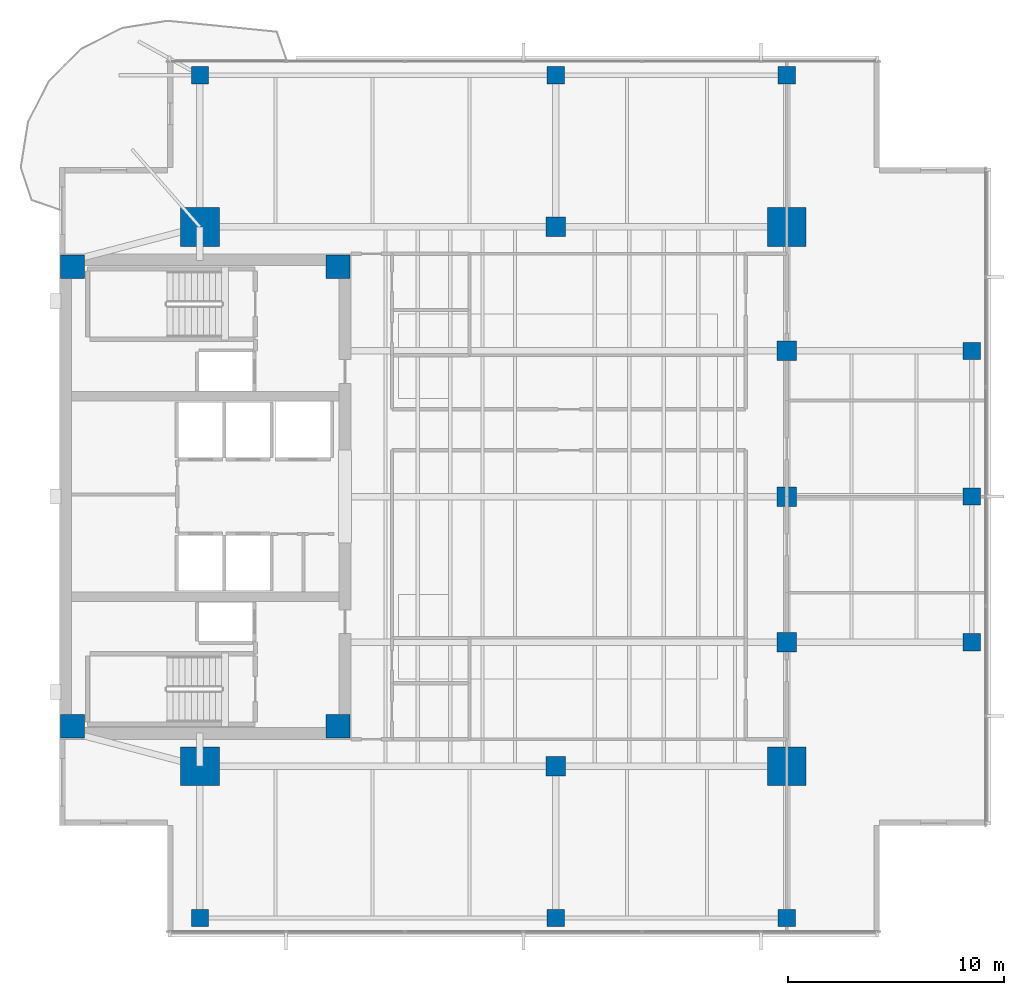
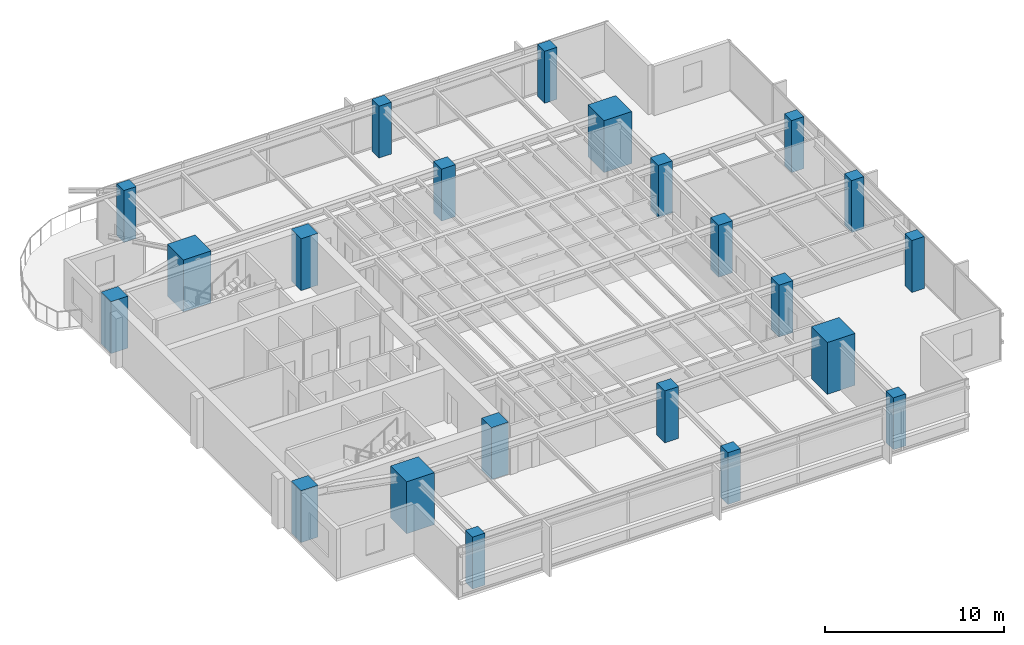
# One storey, part 1 of 14: 22 columns.
"""IFC4 building model written with IfcOpenShell, lengths in metres."""

from ifc_helpers import new_model, si_unit, direction, frame, origin, origin_2d, place, context, subcontext, project, spatial, rectangle, extrude, material, material_profile, profile_set, type_object, element, save


model = new_model("IFC4")

# Units and contexts
model_context = context("Model", 3, precision=1e-05, world=origin(), true_north=direction((0.0, 1.0)))
body_context = subcontext(model_context, "Body", "Model", "MODEL_VIEW")
ifc_project = project(units=[si_unit("LENGTHUNIT", "METRE"), si_unit("AREAUNIT", "SQUARE_METRE"), si_unit("VOLUMEUNIT", "CUBIC_METRE"), si_unit("PLANEANGLEUNIT", "RADIAN"), si_unit("MASSUNIT", "GRAM", prefix="KILO")], contexts=[model_context])

# Site, building, storey
site_placement = place(None, origin())
site = spatial("IfcSite", under=ifc_project, at=site_placement, CompositionType="ELEMENT")
building_placement = place(site_placement, origin())
building = spatial("IfcBuilding", under=site, at=building_placement, Name="Kinhvarn Gate Tower", CompositionType="ELEMENT")
storey_placement = place(building_placement, frame((0.0, 0.0, 205.800048828125)))
storey = spatial("IfcBuildingStorey", under=building, at=storey_placement, Name="L54", CompositionType="ELEMENT", Elevation=205.800048828125)

# Columns
ifc_material_1 = material(Name="Concrete C60/75", Category="concrete")
ifc_material_profile_1 = material_profile(ifc_material_1, rectangle(XDim=1.800048828125, YDim=1.800048828125, at=origin_2d()), Name="RC 1800x1800")
ifc_profile_set_1 = profile_set([ifc_material_profile_1], Name="Concrete C60/75")
column_type_1 = type_object("IfcColumnType", Name="COL-MC-1800", PredefinedType="COLUMN", material=ifc_profile_set_1)
for number, where, z_axis, x_axis, name in (
    (1, (11.0, 12.75, 0.0), (0.0, 0.0, 1.0), (1.0, 0.0, 0.0), "Column MC1-L54 (MC-18)"),
    (2, (11.0, 37.75, 0.0), (0.0, 0.0, 1.0), (1.0, 0.0, 0.0), "Column MC4-L54 (MC-18)"),
    (3, (38.199951171875, 12.75, 0.0), (0.0, 0.0, 1.0), (1.0, 0.0, 0.0), "Column MC2-L54 (MC-18)"),
    (4, (38.199951171875, 37.75, 0.0), (0.0, 0.0, 1.0), (1.0, 0.0, 0.0), "Column MC3-L54 (MC-18)"),
):
    element("IfcColumn", number, at=place(storey_placement, frame(where, z_axis=z_axis, x_axis=x_axis)), inside=storey, type_object=column_type_1, Name=name, PredefinedType="COLUMN", context=body_context, shape_type="SweptSolid", body=[
        extrude(rectangle(XDim=1.800048828125, YDim=1.800048828125, at=origin_2d()), origin(), (0.0, 0.0, 1.0), 3.550048828125),
    ])
ifc_material_2 = material(Name="Concrete C50/60", Category="concrete")
ifc_material_profile_2 = material_profile(ifc_material_2, rectangle(XDim=0.800048828125, YDim=0.800048828125, at=origin_2d()), Name="RC 800x800")
ifc_profile_set_2 = profile_set([ifc_material_profile_2], Name="Concrete C50/60")
column_type_2 = type_object("IfcColumnType", Name="COL-RC-800", PredefinedType="COLUMN", material=ifc_profile_set_2)
for number, where, z_axis, x_axis, name in (
    (5, (46.780029296875, 18.5, 0.0), (0.0, 0.0, 1.0), (1.0, 0.0, 0.0), "Column CE-1-L54 (C-080)"),
    (6, (46.780029296875, 25.25, 0.0), (0.0, 0.0, 1.0), (1.0, 0.0, 0.0), "Column CE-2-L54 (C-080)"),
    (7, (46.780029296875, 32.0, 0.0), (0.0, 0.0, 1.0), (1.0, 0.0, 0.0), "Column CE-3-L54 (C-080)"),
    (8, (11.0, 5.719970703125, 0.0), (0.0, 0.0, 1.0), (1.0, 0.0, 0.0), "Column CS-0-L54 (C-080)"),
    (9, (27.5, 5.719970703125, 0.0), (0.0, 0.0, 1.0), (1.0, 0.0, 0.0), "Column CS-1-L54 (C-080)"),
    (10, (38.199951171875, 5.719970703125, 0.0), (0.0, 0.0, 1.0), (1.0, 0.0, 0.0), "Column CS-2-L54 (C-080)"),
    (11, (11.0, 44.780029296875, 0.0), (0.0, 0.0, 1.0), (1.0, 0.0, 0.0), "Column CN-0-L54 (C-080)"),
    (12, (27.5, 44.780029296875, 0.0), (0.0, 0.0, 1.0), (1.0, 0.0, 0.0), "Column CN-1-L54 (C-080)"),
    (13, (38.199951171875, 44.780029296875, 0.0), (0.0, 0.0, 1.0), (1.0, 0.0, 0.0), "Column CN-2-L54 (C-080)"),
):
    element("IfcColumn", number, at=place(storey_placement, frame(where, z_axis=z_axis, x_axis=x_axis)), inside=storey, type_object=column_type_2, Name=name, PredefinedType="COLUMN", context=body_context, shape_type="SweptSolid", body=[
        extrude(rectangle(XDim=0.800048828125, YDim=0.800048828125, at=origin_2d()), origin(), (0.0, 0.0, 1.0), 3.550048828125),
    ])
ifc_material_profile_3 = material_profile(ifc_material_1, rectangle(XDim=0.89990234375, YDim=0.89990234375, at=origin_2d()), Name="RC 900x900")
ifc_profile_set_3 = profile_set([ifc_material_profile_3], Name="Concrete C60/75")
column_type_3 = type_object("IfcColumnType", Name="COL-RC-900", PredefinedType="COLUMN", material=ifc_profile_set_3)
for number, where, z_axis, x_axis, name in (
    (14, (27.5, 12.75, 0.0), (0.0, 0.0, 1.0), (1.0, 0.0, 0.0), "Column SP27-S-L54 (C-090)"),
    (15, (27.5, 37.75, 0.0), (0.0, 0.0, 1.0), (1.0, 0.0, 0.0), "Column SP27-N-L54 (C-090)"),
    (16, (38.199951171875, 18.5, 0.0), (0.0, 0.0, 1.0), (1.0, 0.0, 0.0), "Column SP38-E1-L54 (C-090)"),
    (17, (38.199951171875, 25.25, 0.0), (0.0, 0.0, 1.0), (1.0, 0.0, 0.0), "Column SP38-E2-L54 (C-090)"),
    (18, (38.199951171875, 32.0, 0.0), (0.0, 0.0, 1.0), (1.0, 0.0, 0.0), "Column SP38-E3-L54 (C-090)"),
):
    element("IfcColumn", number, at=place(storey_placement, frame(where, z_axis=z_axis, x_axis=x_axis)), inside=storey, type_object=column_type_3, Name=name, PredefinedType="COLUMN", context=body_context, shape_type="SweptSolid", body=[
        extrude(rectangle(XDim=0.89990234375, YDim=0.89990234375, at=origin_2d()), origin(), (0.0, 0.0, 1.0), 3.550048828125),
    ])
ifc_material_profile_4 = material_profile(ifc_material_1, rectangle(XDim=1.10009765625, YDim=1.10009765625, at=origin_2d()), Name="RC 1100x1100")
ifc_profile_set_4 = profile_set([ifc_material_profile_4], Name="Concrete C60/75")
column_type_4 = type_object("IfcColumnType", Name="PIL-RC-1100", PredefinedType="PILASTER", material=ifc_profile_set_4)
for number, where, z_axis, x_axis, name in (
    (19, (5.10009765625, 14.60009765625, 0.0), (0.0, 0.0, 1.0), (1.0, 0.0, 0.0), "Column CC-SW-L54 (CP-110)"),
    (20, (5.10009765625, 35.89990234375, 0.0), (0.0, 0.0, 1.0), (1.0, 0.0, 0.0), "Column CC-NW-L54 (CP-110)"),
    (21, (17.39990234375, 14.60009765625, 0.0), (0.0, 0.0, 1.0), (1.0, 0.0, 0.0), "Column CC-SE-L54 (CP-110)"),
    (22, (17.39990234375, 35.89990234375, 0.0), (0.0, 0.0, 1.0), (1.0, 0.0, 0.0), "Column CC-NE-L54 (CP-110)"),
):
    element("IfcColumn", number, at=place(storey_placement, frame(where, z_axis=z_axis, x_axis=x_axis)), inside=storey, type_object=column_type_4, Name=name, PredefinedType="PILASTER", context=body_context, shape_type="SweptSolid", body=[
        extrude(rectangle(XDim=1.10009765625, YDim=1.10009765625, at=origin_2d()), origin(), (0.0, 0.0, 1.0), 3.550048828125),
    ])

save(model, "model.ifc")
